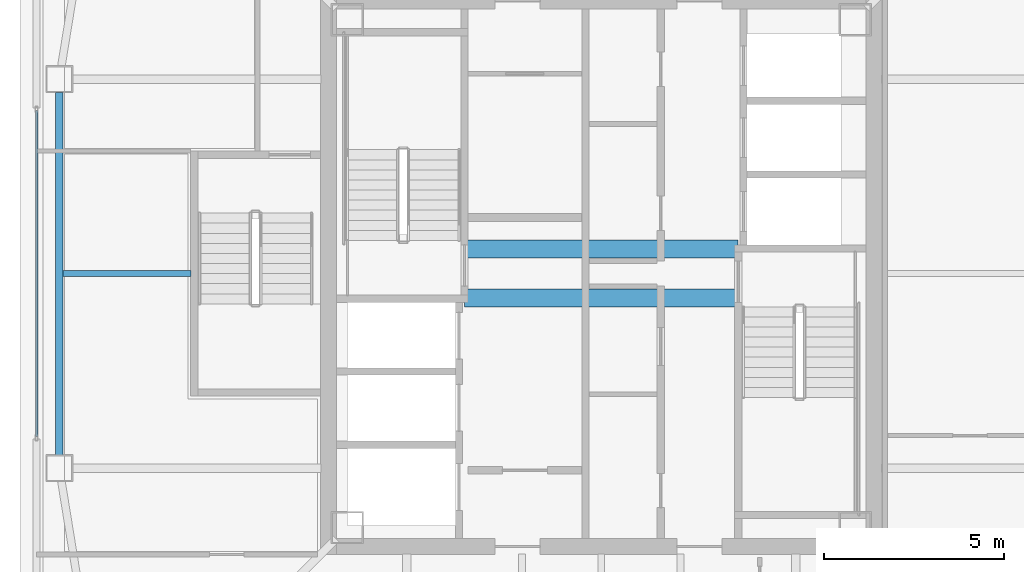
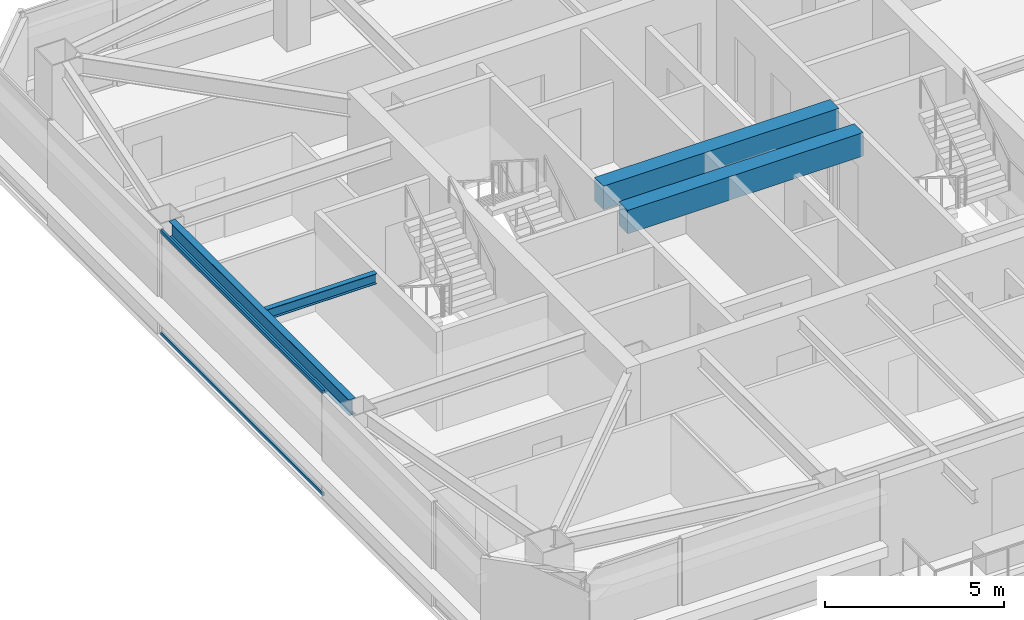
# One storey, part 8 of 36: 4 beams, 2 members, 1 element without a shape of its own.
"""IFC4 building model written with IfcOpenShell, lengths in metres."""

from ifc_helpers import new_model, si_unit, direction, frame, origin, origin_2d, place, context, subcontext, project, spatial, rectangle, hollow_rectangle, i_section, extrude, material, material_profile, profile_set, type_object, element, aggregate, save


model = new_model("IFC4")

# Units and contexts
model_context = context("Model", 3, precision=1e-05, world=origin(), true_north=direction((0.0, 1.0)))
body_context = subcontext(model_context, "Body", "Model", "MODEL_VIEW")
ifc_project = project(units=[si_unit("LENGTHUNIT", "METRE"), si_unit("AREAUNIT", "SQUARE_METRE"), si_unit("VOLUMEUNIT", "CUBIC_METRE"), si_unit("PLANEANGLEUNIT", "RADIAN"), si_unit("MASSUNIT", "GRAM", prefix="KILO")], contexts=[model_context])

# Site, building, storey
site_placement = place(None, origin())
site = spatial("IfcSite", under=ifc_project, at=site_placement, CompositionType="ELEMENT")
building_placement = place(site_placement, origin())
building = spatial("IfcBuilding", under=site, at=building_placement, Name="Tashvorn Skyway Center", CompositionType="ELEMENT")
storey_placement = place(building_placement, frame((0.0, 0.0, 236.14990234375)))
storey = spatial("IfcBuildingStorey", under=building, at=storey_placement, Name="L64", CompositionType="ELEMENT", Elevation=236.14990234375)

# Beams
ifc_material_1 = material(Name="Steel ASTM A992 Grade 50", Category="steel")
ifc_material_profile_1 = material_profile(ifc_material_1, i_section(OverallWidth=0.1708984375, OverallDepth=0.35498046875, WebThickness=0.007080078125, FlangeThickness=0.01171875, at=origin_2d()), Name="W14X34")
ifc_profile_set_1 = profile_set([ifc_material_profile_1], Name="Steel ASTM A992 Grade 50")
beam_type_1 = type_object("IfcBeamType", Name="BM-JOIST-W14X34", PredefinedType="JOIST", material=ifc_profile_set_1)
beam_1_placement = place(storey_placement, frame((30.610107421875, 32.0, 3.192626953125), z_axis=(-1.0, 0.0, 0.0), x_axis=(0.0, -1.0, 0.0)))
element("IfcBeam", 1, at=beam_1_placement, inside=storey, type_object=beam_type_1, Name="Tower 1 L64 Secondary Composite Joist JW", PredefinedType="JOIST", context=body_context, shape_type="SweptSolid", body=[
    extrude(i_section(OverallWidth=0.1708984375, OverallDepth=0.35498046875, WebThickness=0.007080078125, FlangeThickness=0.01171875, at=origin_2d()), origin(), (0.0, 0.0, 1.0), 3.5625),
])
ifc_material_2 = material(Name="Concrete C50/60", Category="concrete")
ifc_material_profile_2 = material_profile(ifc_material_2, rectangle(XDim=0.5, YDim=0.800048828125, at=origin_2d()), Name="RCB500x800")
ifc_profile_set_2 = profile_set([ifc_material_profile_2], Name="Concrete C50/60")
beam_type_2 = type_object("IfcBeamType", Name="BM-LINTEL-RCB500x800", PredefinedType="LINTEL", material=ifc_profile_set_2)
for number, where, z_axis, x_axis, name in (
    (2, (38.199951171875, 32.679931640625, 2.97021484375), (1.0, 0.0, 0.0), (0.0, 1.0, 0.0), "Tower 1 L64 Core Coupling Beam CN"),
    (3, (38.199951171875, 31.320068359375, 2.97021484375), (1.0, 0.0, 0.0), (0.0, 1.0, 0.0), "Tower 1 L64 Core Coupling Beam CS"),
):
    element("IfcBeam", number, at=place(storey_placement, frame(where, z_axis=z_axis, x_axis=x_axis)), inside=storey, type_object=beam_type_2, Name=name, PredefinedType="LINTEL", context=body_context, shape_type="SweptSolid", body=[
        extrude(rectangle(XDim=0.5, YDim=0.800048828125, at=origin_2d()), origin(), (0.0, 0.0, 1.0), 7.60009765625),
    ])
ifc_material_profile_3 = material_profile(ifc_material_1, i_section(OverallWidth=0.2109375, OverallDepth=0.5390625, WebThickness=0.01171875, FlangeThickness=0.018798828125, at=origin_2d()), Name="W21X73")
ifc_profile_set_3 = profile_set([ifc_material_profile_3], Name="Steel ASTM A992 Grade 50")
beam_type_3 = type_object("IfcBeamType", Name="BM-SPANDREL-W21X73", PredefinedType="SPANDREL", material=ifc_profile_set_3)
beam_2_placement = place(storey_placement, frame((26.949951171875, 37.030029296875, 3.1005859375), z_axis=(0.0, -1.0, 0.0), x_axis=(1.0, 0.0, 0.0)))
element("IfcBeam", 4, at=beam_2_placement, inside=storey, type_object=beam_type_3, Name="Tower 1 L64 Spandrel Beam 11", PredefinedType="SPANDREL", context=body_context, shape_type="SweptSolid", body=[
    extrude(i_section(OverallWidth=0.2109375, OverallDepth=0.5390625, WebThickness=0.01171875, FlangeThickness=0.018798828125, at=origin_2d()), origin(), (0.0, 0.0, 1.0), 10.06005859375),
])

# Curtain wall, members
ifc_material_3 = material(Name="Thermally broken bronze-anodized aluminium 6063-T6", Category="aluminium")
curtain_wall_type = type_object("IfcCurtainWallType", Name="CW-CW-Z5", PredefinedType="NOTDEFINED", material=ifc_material_3)
curtain_wall_placement = place(storey_placement, origin())
curtain_wall = element("IfcCurtainWall", 5, at=curtain_wall_placement, inside=storey, type_object=curtain_wall_type, Name="Tower 1 L64 West Unitised Curtain Wall Glazing Group 2", PredefinedType="NOTDEFINED")
ifc_material_profile_4 = material_profile(ifc_material_3, hollow_rectangle(XDim=0.070068359375, YDim=0.114990234375, WallThickness=0.00390625, at=origin_2d()), Name="ALU-TRAN-70x115")
ifc_profile_set_4 = profile_set([ifc_material_profile_4], Name="Thermally broken bronze-anodized aluminium 6063-T6")
member_type = type_object("IfcMemberType", Name="CWT-CW-Z5", PredefinedType="USERDEFINED", material=ifc_profile_set_4)
member_1_placement = place(storey_placement, frame((26.320068359375, 27.476806640625, 0.03515625), z_axis=(0.0, 1.0, 0.0), x_axis=(-1.0, 0.0, 0.0)))
member_1 = element("IfcMember", 6, at=member_1_placement, type_object=member_type, Name="CW-Z5 transom 1.1", ObjectType="TRANSOM", PredefinedType="USERDEFINED", context=body_context, shape_type="SweptSolid", body=[
    extrude(hollow_rectangle(XDim=0.070068359375, YDim=0.114990234375, WallThickness=0.00390625, at=origin_2d()), origin(), (0.0, 0.0, 1.0), 9.04638671875),
])
member_2_placement = place(storey_placement, frame((26.320068359375, 27.476806640625, 3.51513671875), z_axis=(0.0, 1.0, 0.0), x_axis=(-1.0, 0.0, 0.0)))
member_2 = element("IfcMember", 7, at=member_2_placement, type_object=member_type, Name="CW-Z5 transom 1.2", ObjectType="TRANSOM", PredefinedType="USERDEFINED", context=body_context, shape_type="SweptSolid", body=[
    extrude(hollow_rectangle(XDim=0.070068359375, YDim=0.114990234375, WallThickness=0.00390625, at=origin_2d()), origin(), (0.0, 0.0, 1.0), 9.04638671875),
])
aggregate(curtain_wall, [member_1, member_2])

save(model, "model.ifc")
